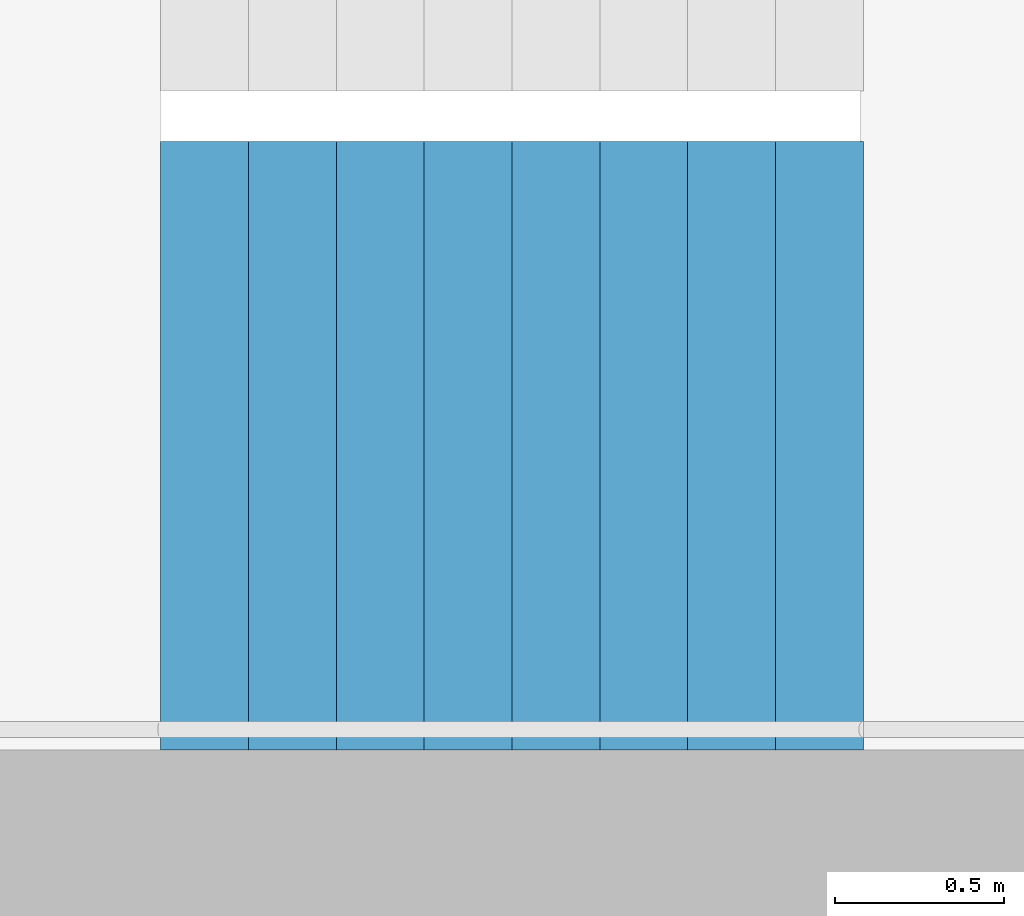
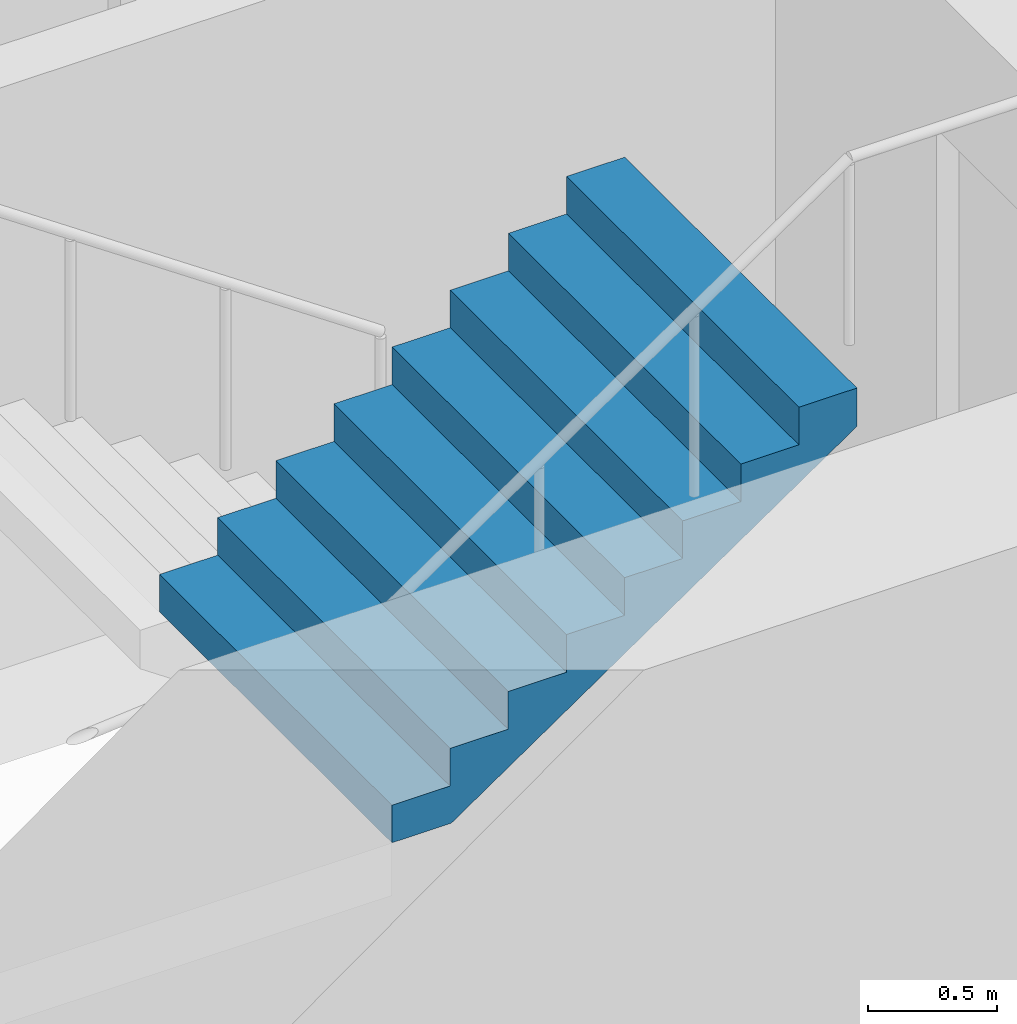
# One storey, part 17 of 30: 1 stair flight, 1 element without a shape of its own.
"""IFC4 building model written with IfcOpenShell, lengths in metres."""

from ifc_helpers import new_model, si_unit, direction, frame, origin, place, context, subcontext, project, spatial, triangles, material, type_object, element, aggregate, save


model = new_model("IFC4")

# Units and contexts
model_context = context("Model", 3, precision=1e-05, world=origin(), true_north=direction((0.0, 1.0)))
body_context = subcontext(model_context, "Body", "Model", "MODEL_VIEW")
ifc_project = project(units=[si_unit("LENGTHUNIT", "METRE"), si_unit("AREAUNIT", "SQUARE_METRE"), si_unit("VOLUMEUNIT", "CUBIC_METRE"), si_unit("PLANEANGLEUNIT", "RADIAN"), si_unit("MASSUNIT", "GRAM", prefix="KILO")], contexts=[model_context])

# Site, building, storey
site_placement = place(None, origin())
site = spatial("IfcSite", under=ifc_project, at=site_placement, CompositionType="ELEMENT")
building_placement = place(site_placement, origin())
building = spatial("IfcBuilding", under=site, at=building_placement, Name="Hakoniwa Tower and Hamabe Station Hall", CompositionType="ELEMENT")
storey_placement = place(building_placement, frame((0.0, 0.0, 137.39990234375)))
storey = spatial("IfcBuildingStorey", under=building, at=storey_placement, Name="L38", CompositionType="ELEMENT", Elevation=137.39990234375)

# Stair, stair flight
ifc_material_1 = material(Name="Concrete C40", Category="concrete")
stair_type = type_object("IfcStairType", Name="ESCAPE STAIR 1800", PredefinedType="HALF_TURN_STAIR", material=ifc_material_1)
stair_placement = place(storey_placement, origin())
stair = element("IfcStair", 1, at=stair_placement, inside=storey, type_object=stair_type, Name="Escape stair ST-2 L38", PredefinedType="HALF_TURN_STAIR")
ifc_material_2 = material(Name="Concrete C40", Category="concrete")
stair_flight_type = type_object("IfcStairFlightType", Name="STAIR FLIGHT 1800", PredefinedType="STRAIGHT", material=ifc_material_2)
stair_flight_placement = place(storey_placement, frame((-25.47998046875, -6.60009765625, 1.60009765625), z_axis=(0.0, 0.0, 1.0), x_axis=(1.0, 0.0, 0.0)))
stair_flight = element("IfcStairFlight", 2, at=stair_flight_placement, type_object=stair_flight_type, Name="ST-2 flight 2", NumberOfRisers=9, NumberOfTreads=8, PredefinedType="STRAIGHT", RiserHeight=0.177777778, TreadLength=0.26, context=body_context, shape_type="Tessellation", body=[
    triangles([(0.0, 0.89990234375, 0.0), (0.260009765625, 0.89990234375, 0.0), (0.265625, 0.89990234375, 0.0), (0.52001953125, 0.89990234375, 0.174072265625), (0.780029296875, 0.89990234375, 0.351806640625), (1.0400390625, 0.89990234375, 0.529541015625), (1.300048828125, 0.89990234375, 0.707275390625), (1.56005859375, 0.89990234375, 0.885009765625), (1.820068359375, 0.89990234375, 1.062744140625), (2.080078125, 0.89990234375, 1.24072265625), (2.080078125, 0.89990234375, 1.422119140625), (1.820068359375, 0.89990234375, 1.422119140625), (1.820068359375, 0.89990234375, 1.244384765625), (1.56005859375, 0.89990234375, 1.244384765625), (1.56005859375, 0.89990234375, 1.066650390625), (1.300048828125, 0.89990234375, 1.066650390625), (1.300048828125, 0.89990234375, 0.888916015625), (1.0400390625, 0.89990234375, 0.888916015625), (1.0400390625, 0.89990234375, 0.711181640625), (0.780029296875, 0.89990234375, 0.711181640625), (0.780029296875, 0.89990234375, 0.533447265625), (0.52001953125, 0.89990234375, 0.533447265625), (0.52001953125, 0.89990234375, 0.35546875), (0.265625, 0.89990234375, 0.35546875), (0.260009765625, 0.89990234375, 0.35546875), (0.260009765625, 0.89990234375, 0.177734375), (0.0, 0.89990234375, 0.177734375), (0.0, 0.06005859375, 0.0), (0.260009765625, 0.06005859375, 0.0), (0.265625, 0.06005859375, 0.0), (0.52001953125, 0.06005859375, 0.174072265625), (0.780029296875, 0.06005859375, 0.351806640625), (1.0400390625, 0.06005859375, 0.529541015625), (1.300048828125, 0.06005859375, 0.707275390625), (1.56005859375, 0.06005859375, 0.885009765625), (1.820068359375, 0.06005859375, 1.062744140625), (2.080078125, 0.06005859375, 1.24072265625), (2.080078125, 0.06005859375, 1.422119140625), (1.820068359375, 0.06005859375, 1.422119140625), (1.820068359375, 0.06005859375, 1.244384765625), (1.56005859375, 0.06005859375, 1.244384765625), (1.56005859375, 0.06005859375, 1.066650390625), (1.300048828125, 0.06005859375, 1.066650390625), (1.300048828125, 0.06005859375, 0.888916015625), (1.0400390625, 0.06005859375, 0.888916015625), (1.0400390625, 0.06005859375, 0.711181640625), (0.780029296875, 0.06005859375, 0.711181640625), (0.780029296875, 0.06005859375, 0.533447265625), (0.52001953125, 0.06005859375, 0.533447265625), (0.52001953125, 0.06005859375, 0.35546875), (0.265625, 0.06005859375, 0.35546875), (0.260009765625, 0.06005859375, 0.35546875), (0.260009765625, 0.06005859375, 0.177734375), (0.0, 0.06005859375, 0.177734375), (0.0, 0.04296875, 0.0), (0.260009765625, 0.04296875, 0.0), (0.265625, 0.04296875, 0.0), (0.52001953125, 0.04296875, 0.174072265625), (0.780029296875, 0.04296875, 0.351806640625), (1.0400390625, 0.04296875, 0.529541015625), (1.300048828125, 0.04296875, 0.707275390625), (1.56005859375, 0.04296875, 0.885009765625), (1.820068359375, 0.04296875, 1.062744140625), (2.080078125, 0.04296875, 1.24072265625), (2.080078125, 0.04296875, 1.422119140625), (1.820068359375, 0.04296875, 1.422119140625), (1.820068359375, 0.04296875, 1.244384765625), (1.56005859375, 0.04296875, 1.244384765625), (1.56005859375, 0.04296875, 1.066650390625), (1.300048828125, 0.04296875, 1.066650390625), (1.300048828125, 0.04296875, 0.888916015625), (1.0400390625, 0.04296875, 0.888916015625), (1.0400390625, 0.04296875, 0.711181640625), (0.780029296875, 0.04296875, 0.711181640625), (0.780029296875, 0.04296875, 0.533447265625), (0.52001953125, 0.04296875, 0.533447265625), (0.52001953125, 0.04296875, 0.35546875), (0.265625, 0.04296875, 0.35546875), (0.260009765625, 0.04296875, 0.35546875), (0.260009765625, 0.04296875, 0.177734375), (0.0, 0.04296875, 0.177734375), (0.0, 0.025634765625, 0.0), (0.260009765625, 0.025634765625, 0.0), (0.265625, 0.025634765625, 0.0), (0.52001953125, 0.025634765625, 0.174072265625), (0.780029296875, 0.025634765625, 0.351806640625), (1.0400390625, 0.025634765625, 0.529541015625), (1.300048828125, 0.025634765625, 0.707275390625), (1.56005859375, 0.025634765625, 0.885009765625), (1.820068359375, 0.025634765625, 1.062744140625), (2.080078125, 0.025634765625, 1.24072265625), (2.080078125, 0.025634765625, 1.422119140625), (1.820068359375, 0.025634765625, 1.422119140625), (1.820068359375, 0.025634765625, 1.244384765625), (1.56005859375, 0.025634765625, 1.244384765625), (1.56005859375, 0.025634765625, 1.066650390625), (1.300048828125, 0.025634765625, 1.066650390625), (1.300048828125, 0.025634765625, 0.888916015625), (1.0400390625, 0.025634765625, 0.888916015625), (1.0400390625, 0.025634765625, 0.711181640625), (0.780029296875, 0.025634765625, 0.711181640625), (0.780029296875, 0.025634765625, 0.533447265625), (0.52001953125, 0.025634765625, 0.533447265625), (0.52001953125, 0.025634765625, 0.35546875), (0.265625, 0.025634765625, 0.35546875), (0.260009765625, 0.025634765625, 0.35546875), (0.260009765625, 0.025634765625, 0.177734375), (0.0, 0.025634765625, 0.177734375), (0.0, 0.008544921875, 0.0), (0.260009765625, 0.008544921875, 0.0), (0.265625, 0.008544921875, 0.0), (0.52001953125, 0.008544921875, 0.174072265625), (0.780029296875, 0.008544921875, 0.351806640625), (1.0400390625, 0.008544921875, 0.529541015625), (1.300048828125, 0.008544921875, 0.707275390625), (1.56005859375, 0.008544921875, 0.885009765625), (1.820068359375, 0.008544921875, 1.062744140625), (2.080078125, 0.008544921875, 1.24072265625), (2.080078125, 0.008544921875, 1.422119140625), (1.820068359375, 0.008544921875, 1.422119140625), (1.820068359375, 0.008544921875, 1.244384765625), (1.56005859375, 0.008544921875, 1.244384765625), (1.56005859375, 0.008544921875, 1.066650390625), (1.300048828125, 0.008544921875, 1.066650390625), (1.300048828125, 0.008544921875, 0.888916015625), (1.0400390625, 0.008544921875, 0.888916015625), (1.0400390625, 0.008544921875, 0.711181640625), (0.780029296875, 0.008544921875, 0.711181640625), (0.780029296875, 0.008544921875, 0.533447265625), (0.52001953125, 0.008544921875, 0.533447265625), (0.52001953125, 0.008544921875, 0.35546875), (0.265625, 0.008544921875, 0.35546875), (0.260009765625, 0.008544921875, 0.35546875), (0.260009765625, 0.008544921875, 0.177734375), (0.0, 0.008544921875, 0.177734375), (0.0, -0.008544921875, 0.0), (0.260009765625, -0.008544921875, 0.0), (0.265625, -0.008544921875, 0.0), (0.52001953125, -0.008544921875, 0.174072265625), (0.780029296875, -0.008544921875, 0.351806640625), (1.0400390625, -0.008544921875, 0.529541015625), (1.300048828125, -0.008544921875, 0.707275390625), (1.56005859375, -0.008544921875, 0.885009765625), (1.820068359375, -0.008544921875, 1.062744140625), (2.080078125, -0.008544921875, 1.24072265625), (2.080078125, -0.008544921875, 1.422119140625), (1.820068359375, -0.008544921875, 1.422119140625), (1.820068359375, -0.008544921875, 1.244384765625), (1.56005859375, -0.008544921875, 1.244384765625), (1.56005859375, -0.008544921875, 1.066650390625), (1.300048828125, -0.008544921875, 1.066650390625), (1.300048828125, -0.008544921875, 0.888916015625), (1.0400390625, -0.008544921875, 0.888916015625), (1.0400390625, -0.008544921875, 0.711181640625), (0.780029296875, -0.008544921875, 0.711181640625), (0.780029296875, -0.008544921875, 0.533447265625), (0.52001953125, -0.008544921875, 0.533447265625), (0.52001953125, -0.008544921875, 0.35546875), (0.265625, -0.008544921875, 0.35546875), (0.260009765625, -0.008544921875, 0.35546875), (0.260009765625, -0.008544921875, 0.177734375), (0.0, -0.008544921875, 0.177734375), (0.0, -0.025634765625, 0.0), (0.260009765625, -0.025634765625, 0.0), (0.265625, -0.025634765625, 0.0), (0.52001953125, -0.025634765625, 0.174072265625), (0.780029296875, -0.025634765625, 0.351806640625), (1.0400390625, -0.025634765625, 0.529541015625), (1.300048828125, -0.025634765625, 0.707275390625), (1.56005859375, -0.025634765625, 0.885009765625), (1.820068359375, -0.025634765625, 1.062744140625), (2.080078125, -0.025634765625, 1.24072265625), (2.080078125, -0.025634765625, 1.422119140625), (1.820068359375, -0.025634765625, 1.422119140625), (1.820068359375, -0.025634765625, 1.244384765625), (1.56005859375, -0.025634765625, 1.244384765625), (1.56005859375, -0.025634765625, 1.066650390625), (1.300048828125, -0.025634765625, 1.066650390625), (1.300048828125, -0.025634765625, 0.888916015625), (1.0400390625, -0.025634765625, 0.888916015625), (1.0400390625, -0.025634765625, 0.711181640625), (0.780029296875, -0.025634765625, 0.711181640625), (0.780029296875, -0.025634765625, 0.533447265625), (0.52001953125, -0.025634765625, 0.533447265625), (0.52001953125, -0.025634765625, 0.35546875), (0.265625, -0.025634765625, 0.35546875), (0.260009765625, -0.025634765625, 0.35546875), (0.260009765625, -0.025634765625, 0.177734375), (0.0, -0.025634765625, 0.177734375), (0.0, -0.04296875, 0.0), (0.260009765625, -0.04296875, 0.0), (0.265625, -0.04296875, 0.0), (0.52001953125, -0.04296875, 0.174072265625), (0.780029296875, -0.04296875, 0.351806640625), (1.0400390625, -0.04296875, 0.529541015625), (1.300048828125, -0.04296875, 0.707275390625), (1.56005859375, -0.04296875, 0.885009765625), (1.820068359375, -0.04296875, 1.062744140625), (2.080078125, -0.04296875, 1.24072265625), (2.080078125, -0.04296875, 1.422119140625), (1.820068359375, -0.04296875, 1.422119140625), (1.820068359375, -0.04296875, 1.244384765625), (1.56005859375, -0.04296875, 1.244384765625), (1.56005859375, -0.04296875, 1.066650390625), (1.300048828125, -0.04296875, 1.066650390625), (1.300048828125, -0.04296875, 0.888916015625), (1.0400390625, -0.04296875, 0.888916015625), (1.0400390625, -0.04296875, 0.711181640625), (0.780029296875, -0.04296875, 0.711181640625), (0.780029296875, -0.04296875, 0.533447265625), (0.52001953125, -0.04296875, 0.533447265625), (0.52001953125, -0.04296875, 0.35546875), (0.265625, -0.04296875, 0.35546875), (0.260009765625, -0.04296875, 0.35546875), (0.260009765625, -0.04296875, 0.177734375), (0.0, -0.04296875, 0.177734375), (0.0, -0.06005859375, 0.0), (0.260009765625, -0.06005859375, 0.0), (0.265625, -0.06005859375, 0.0), (0.52001953125, -0.06005859375, 0.174072265625), (0.780029296875, -0.06005859375, 0.351806640625), (1.0400390625, -0.06005859375, 0.529541015625), (1.300048828125, -0.06005859375, 0.707275390625), (1.56005859375, -0.06005859375, 0.885009765625), (1.820068359375, -0.06005859375, 1.062744140625), (2.080078125, -0.06005859375, 1.24072265625), (2.080078125, -0.06005859375, 1.422119140625), (1.820068359375, -0.06005859375, 1.422119140625), (1.820068359375, -0.06005859375, 1.244384765625), (1.56005859375, -0.06005859375, 1.244384765625), (1.56005859375, -0.06005859375, 1.066650390625), (1.300048828125, -0.06005859375, 1.066650390625), (1.300048828125, -0.06005859375, 0.888916015625), (1.0400390625, -0.06005859375, 0.888916015625), (1.0400390625, -0.06005859375, 0.711181640625), (0.780029296875, -0.06005859375, 0.711181640625), (0.780029296875, -0.06005859375, 0.533447265625), (0.52001953125, -0.06005859375, 0.533447265625), (0.52001953125, -0.06005859375, 0.35546875), (0.265625, -0.06005859375, 0.35546875), (0.260009765625, -0.06005859375, 0.35546875), (0.260009765625, -0.06005859375, 0.177734375), (0.0, -0.06005859375, 0.177734375), (0.0, -0.89990234375, 0.0), (0.260009765625, -0.89990234375, 0.0), (0.265625, -0.89990234375, 0.0), (0.52001953125, -0.89990234375, 0.174072265625), (0.780029296875, -0.89990234375, 0.351806640625), (1.0400390625, -0.89990234375, 0.529541015625), (1.300048828125, -0.89990234375, 0.707275390625), (1.56005859375, -0.89990234375, 0.885009765625), (1.820068359375, -0.89990234375, 1.062744140625), (2.080078125, -0.89990234375, 1.24072265625), (2.080078125, -0.89990234375, 1.422119140625), (1.820068359375, -0.89990234375, 1.422119140625), (1.820068359375, -0.89990234375, 1.244384765625), (1.56005859375, -0.89990234375, 1.244384765625), (1.56005859375, -0.89990234375, 1.066650390625), (1.300048828125, -0.89990234375, 1.066650390625), (1.300048828125, -0.89990234375, 0.888916015625), (1.0400390625, -0.89990234375, 0.888916015625), (1.0400390625, -0.89990234375, 0.711181640625), (0.780029296875, -0.89990234375, 0.711181640625), (0.780029296875, -0.89990234375, 0.533447265625), (0.52001953125, -0.89990234375, 0.533447265625), (0.52001953125, -0.89990234375, 0.35546875), (0.265625, -0.89990234375, 0.35546875), (0.260009765625, -0.89990234375, 0.35546875), (0.260009765625, -0.89990234375, 0.177734375), (0.0, -0.89990234375, 0.177734375)], [[2, 27, 26], [245, 269, 270], [2, 1, 27], [245, 270, 244], [3, 25, 24], [246, 267, 268], [3, 26, 25], [246, 268, 269], [3, 2, 26], [246, 269, 245], [4, 24, 23], [247, 266, 267], [4, 3, 24], [247, 267, 246], [5, 22, 21], [248, 264, 265], [5, 23, 22], [248, 265, 266], [5, 4, 23], [248, 266, 247], [6, 20, 19], [249, 262, 263], [6, 21, 20], [249, 263, 264], [6, 5, 21], [249, 264, 248], [7, 18, 17], [250, 260, 261], [7, 19, 18], [250, 261, 262], [7, 6, 19], [250, 262, 249], [8, 16, 15], [251, 258, 259], [8, 17, 16], [251, 259, 260], [8, 7, 17], [251, 260, 250], [9, 14, 13], [252, 256, 257], [9, 15, 14], [252, 257, 258], [9, 8, 15], [252, 258, 251], [10, 12, 11], [253, 254, 255], [10, 13, 12], [253, 255, 256], [10, 9, 13], [253, 256, 252], [1, 2, 29], [1, 29, 28], [28, 29, 56], [28, 56, 55], [55, 56, 83], [55, 83, 82], [82, 83, 110], [82, 110, 109], [109, 110, 137], [109, 137, 136], [136, 137, 164], [136, 164, 163], [163, 164, 191], [163, 191, 190], [190, 191, 218], [190, 218, 217], [217, 218, 245], [217, 245, 244], [2, 3, 30], [2, 30, 29], [29, 30, 57], [29, 57, 56], [56, 57, 84], [56, 84, 83], [83, 84, 111], [83, 111, 110], [110, 111, 138], [110, 138, 137], [137, 138, 165], [137, 165, 164], [164, 165, 192], [164, 192, 191], [191, 192, 219], [191, 219, 218], [218, 219, 246], [218, 246, 245], [3, 4, 31], [3, 31, 30], [30, 31, 58], [30, 58, 57], [57, 58, 85], [57, 85, 84], [84, 85, 112], [84, 112, 111], [111, 112, 139], [111, 139, 138], [138, 139, 166], [138, 166, 165], [165, 166, 193], [165, 193, 192], [192, 193, 220], [192, 220, 219], [219, 220, 247], [219, 247, 246], [4, 5, 32], [4, 32, 31], [31, 32, 59], [31, 59, 58], [58, 59, 86], [58, 86, 85], [85, 86, 113], [85, 113, 112], [112, 113, 140], [112, 140, 139], [139, 140, 167], [139, 167, 166], [166, 167, 194], [166, 194, 193], [193, 194, 221], [193, 221, 220], [220, 221, 248], [220, 248, 247], [5, 6, 33], [5, 33, 32], [32, 33, 60], [32, 60, 59], [59, 60, 87], [59, 87, 86], [86, 87, 114], [86, 114, 113], [113, 114, 141], [113, 141, 140], [140, 141, 168], [140, 168, 167], [167, 168, 195], [167, 195, 194], [194, 195, 222], [194, 222, 221], [221, 222, 249], [221, 249, 248], [6, 7, 34], [6, 34, 33], [33, 34, 61], [33, 61, 60], [60, 61, 88], [60, 88, 87], [87, 88, 115], [87, 115, 114], [114, 115, 142], [114, 142, 141], [141, 142, 169], [141, 169, 168], [168, 169, 196], [168, 196, 195], [195, 196, 223], [195, 223, 222], [222, 223, 250], [222, 250, 249], [7, 8, 35], [7, 35, 34], [34, 35, 62], [34, 62, 61], [61, 62, 89], [61, 89, 88], [88, 89, 116], [88, 116, 115], [115, 116, 143], [115, 143, 142], [142, 143, 170], [142, 170, 169], [169, 170, 197], [169, 197, 196], [196, 197, 224], [196, 224, 223], [223, 224, 251], [223, 251, 250], [8, 9, 36], [8, 36, 35], [35, 36, 63], [35, 63, 62], [62, 63, 90], [62, 90, 89], [89, 90, 117], [89, 117, 116], [116, 117, 144], [116, 144, 143], [143, 144, 171], [143, 171, 170], [170, 171, 198], [170, 198, 197], [197, 198, 225], [197, 225, 224], [224, 225, 252], [224, 252, 251], [9, 10, 37], [9, 37, 36], [36, 37, 64], [36, 64, 63], [63, 64, 91], [63, 91, 90], [90, 91, 118], [90, 118, 117], [117, 118, 145], [117, 145, 144], [144, 145, 172], [144, 172, 171], [171, 172, 199], [171, 199, 198], [198, 199, 226], [198, 226, 225], [225, 226, 253], [225, 253, 252], [10, 11, 38], [10, 38, 37], [37, 38, 65], [37, 65, 64], [64, 65, 92], [64, 92, 91], [91, 92, 119], [91, 119, 118], [118, 119, 146], [118, 146, 145], [145, 146, 173], [145, 173, 172], [172, 173, 200], [172, 200, 199], [199, 200, 227], [199, 227, 226], [226, 227, 254], [226, 254, 253], [11, 12, 39], [11, 39, 38], [38, 39, 66], [38, 66, 65], [65, 66, 93], [65, 93, 92], [92, 93, 120], [92, 120, 119], [119, 120, 147], [119, 147, 146], [146, 147, 174], [146, 174, 173], [173, 174, 201], [173, 201, 200], [200, 201, 228], [200, 228, 227], [227, 228, 255], [227, 255, 254], [12, 13, 40], [12, 40, 39], [39, 40, 67], [39, 67, 66], [66, 67, 94], [66, 94, 93], [93, 94, 121], [93, 121, 120], [120, 121, 148], [120, 148, 147], [147, 148, 175], [147, 175, 174], [174, 175, 202], [174, 202, 201], [201, 202, 229], [201, 229, 228], [228, 229, 256], [228, 256, 255], [13, 14, 41], [13, 41, 40], [40, 41, 68], [40, 68, 67], [67, 68, 95], [67, 95, 94], [94, 95, 122], [94, 122, 121], [121, 122, 149], [121, 149, 148], [148, 149, 176], [148, 176, 175], [175, 176, 203], [175, 203, 202], [202, 203, 230], [202, 230, 229], [229, 230, 257], [229, 257, 256], [14, 15, 42], [14, 42, 41], [41, 42, 69], [41, 69, 68], [68, 69, 96], [68, 96, 95], [95, 96, 123], [95, 123, 122], [122, 123, 150], [122, 150, 149], [149, 150, 177], [149, 177, 176], [176, 177, 204], [176, 204, 203], [203, 204, 231], [203, 231, 230], [230, 231, 258], [230, 258, 257], [15, 16, 43], [15, 43, 42], [42, 43, 70], [42, 70, 69], [69, 70, 97], [69, 97, 96], [96, 97, 124], [96, 124, 123], [123, 124, 151], [123, 151, 150], [150, 151, 178], [150, 178, 177], [177, 178, 205], [177, 205, 204], [204, 205, 232], [204, 232, 231], [231, 232, 259], [231, 259, 258], [16, 17, 44], [16, 44, 43], [43, 44, 71], [43, 71, 70], [70, 71, 98], [70, 98, 97], [97, 98, 125], [97, 125, 124], [124, 125, 152], [124, 152, 151], [151, 152, 179], [151, 179, 178], [178, 179, 206], [178, 206, 205], [205, 206, 233], [205, 233, 232], [232, 233, 260], [232, 260, 259], [17, 18, 45], [17, 45, 44], [44, 45, 72], [44, 72, 71], [71, 72, 99], [71, 99, 98], [98, 99, 126], [98, 126, 125], [125, 126, 153], [125, 153, 152], [152, 153, 180], [152, 180, 179], [179, 180, 207], [179, 207, 206], [206, 207, 234], [206, 234, 233], [233, 234, 261], [233, 261, 260], [18, 19, 46], [18, 46, 45], [45, 46, 73], [45, 73, 72], [72, 73, 100], [72, 100, 99], [99, 100, 127], [99, 127, 126], [126, 127, 154], [126, 154, 153], [153, 154, 181], [153, 181, 180], [180, 181, 208], [180, 208, 207], [207, 208, 235], [207, 235, 234], [234, 235, 262], [234, 262, 261], [19, 20, 47], [19, 47, 46], [46, 47, 74], [46, 74, 73], [73, 74, 101], [73, 101, 100], [100, 101, 128], [100, 128, 127], [127, 128, 155], [127, 155, 154], [154, 155, 182], [154, 182, 181], [181, 182, 209], [181, 209, 208], [208, 209, 236], [208, 236, 235], [235, 236, 263], [235, 263, 262], [20, 21, 48], [20, 48, 47], [47, 48, 75], [47, 75, 74], [74, 75, 102], [74, 102, 101], [101, 102, 129], [101, 129, 128], [128, 129, 156], [128, 156, 155], [155, 156, 183], [155, 183, 182], [182, 183, 210], [182, 210, 209], [209, 210, 237], [209, 237, 236], [236, 237, 264], [236, 264, 263], [21, 22, 49], [21, 49, 48], [48, 49, 76], [48, 76, 75], [75, 76, 103], [75, 103, 102], [102, 103, 130], [102, 130, 129], [129, 130, 157], [129, 157, 156], [156, 157, 184], [156, 184, 183], [183, 184, 211], [183, 211, 210], [210, 211, 238], [210, 238, 237], [237, 238, 265], [237, 265, 264], [22, 23, 50], [22, 50, 49], [49, 50, 77], [49, 77, 76], [76, 77, 104], [76, 104, 103], [103, 104, 131], [103, 131, 130], [130, 131, 158], [130, 158, 157], [157, 158, 185], [157, 185, 184], [184, 185, 212], [184, 212, 211], [211, 212, 239], [211, 239, 238], [238, 239, 266], [238, 266, 265], [23, 24, 51], [23, 51, 50], [50, 51, 78], [50, 78, 77], [77, 78, 105], [77, 105, 104], [104, 105, 132], [104, 132, 131], [131, 132, 159], [131, 159, 158], [158, 159, 186], [158, 186, 185], [185, 186, 213], [185, 213, 212], [212, 213, 240], [212, 240, 239], [239, 240, 267], [239, 267, 266], [24, 25, 52], [24, 52, 51], [51, 52, 79], [51, 79, 78], [78, 79, 106], [78, 106, 105], [105, 106, 133], [105, 133, 132], [132, 133, 160], [132, 160, 159], [159, 160, 187], [159, 187, 186], [186, 187, 214], [186, 214, 213], [213, 214, 241], [213, 241, 240], [240, 241, 268], [240, 268, 267], [25, 26, 53], [25, 53, 52], [52, 53, 80], [52, 80, 79], [79, 80, 107], [79, 107, 106], [106, 107, 134], [106, 134, 133], [133, 134, 161], [133, 161, 160], [160, 161, 188], [160, 188, 187], [187, 188, 215], [187, 215, 214], [214, 215, 242], [214, 242, 241], [241, 242, 269], [241, 269, 268], [26, 27, 54], [26, 54, 53], [53, 54, 81], [53, 81, 80], [80, 81, 108], [80, 108, 107], [107, 108, 135], [107, 135, 134], [134, 135, 162], [134, 162, 161], [161, 162, 189], [161, 189, 188], [188, 189, 216], [188, 216, 215], [215, 216, 243], [215, 243, 242], [242, 243, 270], [242, 270, 269], [27, 1, 28], [27, 28, 54], [54, 28, 55], [54, 55, 81], [81, 55, 82], [81, 82, 108], [108, 82, 109], [108, 109, 135], [135, 109, 136], [135, 136, 162], [162, 136, 163], [162, 163, 189], [189, 163, 190], [189, 190, 216], [216, 190, 217], [216, 217, 243], [243, 217, 244], [243, 244, 270]], closed=True),
])
aggregate(stair, [stair_flight])

save(model, "model.ifc")
